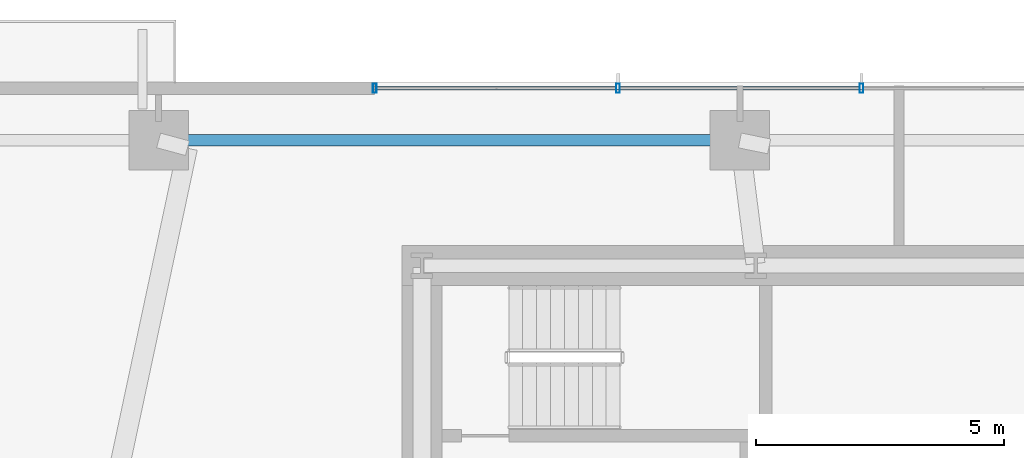
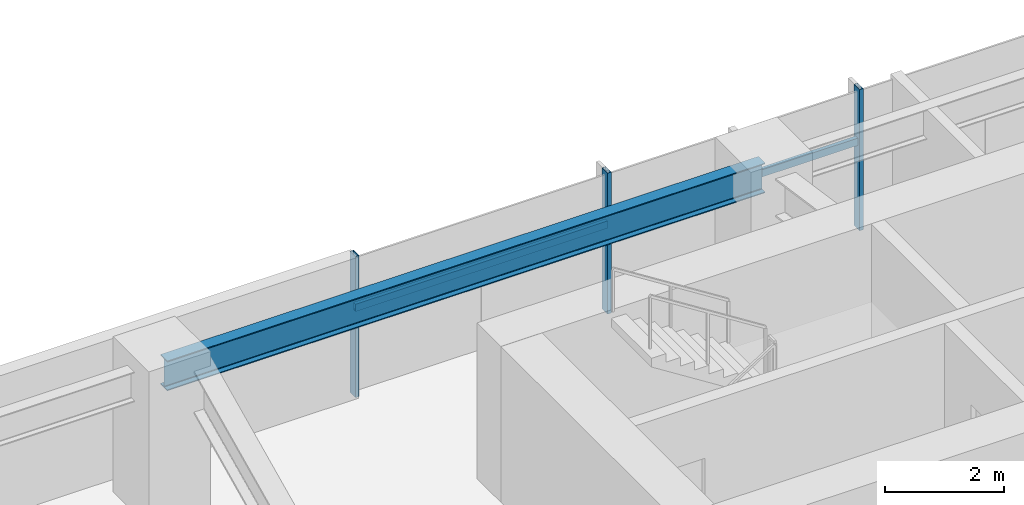
# One storey, part 10 of 25: 5 members, 1 beam, 1 element without a shape of its own.
"""IFC4 building model written with IfcOpenShell, lengths in metres."""

import ifcopenshell
import ifcopenshell.guid

model = None  # the IFC model being written
_history = None  # IfcOwnerHistory: only IFC2X3 demands one
_inside = {}  # id of a spatial element -> (the spatial element, [elements in it])
_under = {}  # id of a project, library or spatial element -> (it, [spatial elements below it])
_declared = {}  # id of a project -> (the project, [libraries it declares])
_typed = {}  # id of a type object -> (the type object, [elements of that type])
_made_of = {}  # id of a material, layer set ... -> (it, [elements and type objects made of it])


def new_model(schema):
    """Start an empty IFC model of exactly this schema.

    Asked for "IFC4X3", IfcOpenShell would pick the latest addendum, in which some entities
    have other attributes; the version numbers below select the first issue.
    IFC2X3 requires an IfcOwnerHistory on every rooted entity: one is made here for all.
    """
    global model, _history
    if schema == "IFC4X3":
        model = ifcopenshell.file(schema_version=(4, 3, 0, 0))
    else:
        model = ifcopenshell.file(schema=schema)
    _inside.clear()
    _under.clear()
    _declared.clear()
    _typed.clear()
    _made_of.clear()
    _history = None
    if model.schema == "IFC2X3":
        org = make("IfcOrganization", Name="unknown")
        user = make(
            "IfcPersonAndOrganization",
            ThePerson=make("IfcPerson", FamilyName="unknown"),
            TheOrganization=org,
        )
        app = make(
            "IfcApplication",
            ApplicationDeveloper=org,
            Version="unknown",
            ApplicationFullName="unknown",
            ApplicationIdentifier="unknown",
        )
        _history = make(
            "IfcOwnerHistory",
            OwningUser=user,
            OwningApplication=app,
            ChangeAction="ADDED",
            CreationDate=0,
        )
    return model


def make(cls, **values):
    """One entity of the class cls with the attributes given. An attribute that is None is left unset."""
    return model.create_entity(
        cls, **{name: value for name, value in values.items() if value is not None}
    )


def rooted(cls, **values):
    """An entity with a GlobalId (a new one), such as an element, a storey or a relation."""
    return make(cls, GlobalId=ifcopenshell.guid.new(), OwnerHistory=_history, **values)


def si_unit(unit_type, name, prefix=None):
    """IfcSIUnit, for example si_unit("LENGTHUNIT", "METRE", prefix="MILLI")."""
    return make("IfcSIUnit", UnitType=unit_type, Prefix=prefix, Name=name)


def assignment(units):
    """IfcUnitAssignment: the units of a project."""
    return None if units is None else make("IfcUnitAssignment", Units=units)


def point(xyz):
    """IfcCartesianPoint."""
    return None if xyz is None else make("IfcCartesianPoint", Coordinates=xyz)


def direction(xyz):
    """IfcDirection."""
    return None if xyz is None else make("IfcDirection", DirectionRatios=xyz)


def frame(location, z_axis=None, x_axis=None):
    """IfcAxis2Placement3D, a coordinate frame: its origin and axes. An axis left out is left unset."""
    return make(
        "IfcAxis2Placement3D",
        Location=point(location),
        Axis=direction(z_axis),
        RefDirection=direction(x_axis),
    )


def frame_2d(location, x_axis=None):
    """IfcAxis2Placement2D, a coordinate frame in the plane: its origin and x axis."""
    return make(
        "IfcAxis2Placement2D", Location=point(location), RefDirection=direction(x_axis)
    )


def origin():
    """The frame at (0, 0, 0) with its axes left unset."""
    return frame((0.0, 0.0, 0.0))


def origin_2d():
    """The frame at (0, 0) in the plane with its x axis left unset."""
    return frame_2d((0.0, 0.0))


def place(relative_to, where):
    """IfcLocalPlacement: puts the frame where relative to a parent placement (None: the world)."""
    return make(
        "IfcLocalPlacement", PlacementRelTo=relative_to, RelativePlacement=where
    )


def context(
    kind, dimensions, precision=None, world=None, true_north=None, identifier=None
):
    """IfcGeometricRepresentationContext, for example the 3D "Model" context."""
    return make(
        "IfcGeometricRepresentationContext",
        ContextIdentifier=identifier,
        ContextType=kind,
        CoordinateSpaceDimension=dimensions,
        Precision=precision,
        WorldCoordinateSystem=world,
        TrueNorth=true_north,
    )


def subcontext(parent, identifier, kind, view, scale=None):
    """IfcGeometricRepresentationSubContext, for example "Body" below "Model"."""
    return make(
        "IfcGeometricRepresentationSubContext",
        ContextIdentifier=identifier,
        ContextType=kind,
        ParentContext=parent,
        TargetScale=scale,
        TargetView=view,
    )


def project(units=None, contexts=None):
    """IfcProject with its units and contexts."""
    return rooted(
        "IfcProject",
        Name="project",
        RepresentationContexts=contexts,
        UnitsInContext=assignment(units),
    )


def spatial(cls, under=None, at=None, **own):
    """A site, building, storey or space (cls), placed at a placement, below another one or the project."""
    s = rooted(cls, ObjectPlacement=at, **own)
    if under is not None:
        _under.setdefault(under.id(), (under, []))[1].append(s)
    return s


def profile(cls, at=None, kind="AREA", **sizes):
    """A parametric profile (cls). Its sizes go by their IFC names, for example OverallWidth=200.0."""
    return make(cls, ProfileType=kind, Position=at, **sizes)


def hollow_rectangle(**sizes):
    """IfcRectangleHollowProfileDef."""
    return profile("IfcRectangleHollowProfileDef", **sizes)


def i_section(**sizes):
    """IfcIShapeProfileDef."""
    return profile("IfcIShapeProfileDef", **sizes)


def extrude(swept, where, along, depth):
    """IfcExtrudedAreaSolid: the profile swept, set in the frame where, extruded along a direction by depth."""
    return make(
        "IfcExtrudedAreaSolid",
        SweptArea=swept,
        Position=where,
        ExtrudedDirection=direction(along),
        Depth=depth,
    )


def shape(context_of_items, identifier, shape_type, items):
    """IfcShapeRepresentation: the items that make up one representation, for example the "Body"."""
    return make(
        "IfcShapeRepresentation",
        ContextOfItems=context_of_items,
        RepresentationIdentifier=identifier,
        RepresentationType=shape_type,
        Items=items,
    )


def source(mapping_origin, context_of_items, identifier, shape_type, items):
    """IfcRepresentationMap: a shape defined once, which mapped items show again and again."""
    return make(
        "IfcRepresentationMap",
        MappingOrigin=mapping_origin,
        MappedRepresentation=shape(context_of_items, identifier, shape_type, items),
    )


def transform(
    local_origin,
    x_axis=None,
    y_axis=None,
    z_axis=None,
    scale=None,
    scale2=None,
    scale3=None,
    uniform=True,
):
    """IfcCartesianTransformationOperator3D, or its non-uniform kind. x_axis, y_axis, z_axis: its Axis1, 2, 3."""
    if uniform:
        return make(
            "IfcCartesianTransformationOperator3D",
            Axis1=direction(x_axis),
            Axis2=direction(y_axis),
            LocalOrigin=point(local_origin),
            Scale=scale,
            Axis3=direction(z_axis),
        )
    return make(
        "IfcCartesianTransformationOperator3DnonUniform",
        Axis1=direction(x_axis),
        Axis2=direction(y_axis),
        LocalOrigin=point(local_origin),
        Scale=scale,
        Axis3=direction(z_axis),
        Scale2=scale2,
        Scale3=scale3,
    )


def mapped(mapping_source, mapping_target):
    """IfcMappedItem: shows the shape of a source again, moved by a transform."""
    return make(
        "IfcMappedItem", MappingSource=mapping_source, MappingTarget=mapping_target
    )


def material(Name=None, Category=None):
    """IfcMaterial."""
    return make("IfcMaterial", Name=Name, Category=Category)


def material_profile(
    of_material, cross_section, Name=None, Category=None, Priority=None
):
    """IfcMaterialProfile: a cross section and its material."""
    return make(
        "IfcMaterialProfile",
        Name=Name,
        Material=of_material,
        Profile=cross_section,
        Priority=Priority,
        Category=Category,
    )


def profile_set(profiles, Name=None, composite=None):
    """IfcMaterialProfileSet."""
    return make(
        "IfcMaterialProfileSet",
        Name=Name,
        MaterialProfiles=profiles,
        CompositeProfile=composite,
    )


def made_of(thing, what):
    """Note that an element or type object is made of a material, layer set ...; save() writes the relation."""
    if what is not None:
        _made_of.setdefault(what.id(), (what, []))[1].append(thing)
    return thing


def type_object(cls, material=None, **own):
    """A type object (cls), such as IfcWallType, which elements share."""
    return made_of(rooted(cls, **own), material)


def type_shapes(of_type, sources):
    """Give a type object the sources (RepresentationMaps) that its elements show as mapped items."""
    of_type.RepresentationMaps = sources


def element(
    cls,
    number,
    at=None,
    inside=None,
    cuts=None,
    type_object=None,
    material=None,
    context=None,
    identifier="Body",
    shape_type=None,
    held_by="IfcProductDefinitionShape",
    body=None,
    shapes=None,
    **own,
):
    """One element of the class cls, such as IfcWall. Its Tag is "e" and its number.

    at: its placement. inside: the storey or other place that contains it. cuts: it is an
    opening in that element (IfcRelVoidsElement). A single representation is given by context,
    identifier, shape_type and body (its items); several are given by shapes. held_by: the class
    of the entity that holds the representations. save() writes the other relations.
    """
    e = rooted(cls, Tag="e%d" % number, ObjectPlacement=at, **own)
    if body is not None:
        shapes = [shape(context, identifier, shape_type, body)]
    if shapes is not None:
        e.Representation = make(held_by, Representations=shapes)
    if inside is not None:
        _inside.setdefault(inside.id(), (inside, []))[1].append(e)
    if cuts is not None:
        rooted(
            "IfcRelVoidsElement", RelatingBuildingElement=cuts, RelatedOpeningElement=e
        )
    if type_object is not None:
        _typed.setdefault(type_object.id(), (type_object, []))[1].append(e)
    return made_of(e, material)


def aggregate(whole, parts):
    """IfcRelAggregates: a whole, such as a stair, and the parts it consists of."""
    return rooted("IfcRelAggregates", RelatingObject=whole, RelatedObjects=parts)


def save(model, path):
    """Write the relations noted so far, then the file.

    IfcRelAggregates (storeys below a building ...), IfcRelContainedInSpatialStructure (elements
    in a storey), IfcRelDefinesByType, IfcRelAssociatesMaterial and IfcRelDeclares: one each for
    every whole, place, type object, material and project.
    """
    for whole, parts in _under.values():
        aggregate(whole, parts)
    for where, things in _inside.values():
        rooted(
            "IfcRelContainedInSpatialStructure",
            RelatedElements=things,
            RelatingStructure=where,
        )
    for kind, things in _typed.values():
        rooted("IfcRelDefinesByType", RelatedObjects=things, RelatingType=kind)
    for what, things in _made_of.values():
        rooted("IfcRelAssociatesMaterial", RelatedObjects=things, RelatingMaterial=what)
    for by, libraries in _declared.values():
        rooted("IfcRelDeclares", RelatingContext=by, RelatedDefinitions=libraries)
    model.write(path)


model = new_model("IFC4")

# Units and contexts
model_context = context("Model", 3, precision=1e-05, world=origin(), true_north=direction((0.0, 1.0)))
body_context = subcontext(model_context, "Body", "Model", "MODEL_VIEW")
ifc_project = project(units=[si_unit("LENGTHUNIT", "METRE"), si_unit("AREAUNIT", "SQUARE_METRE"), si_unit("VOLUMEUNIT", "CUBIC_METRE"), si_unit("PLANEANGLEUNIT", "RADIAN"), si_unit("MASSUNIT", "GRAM", prefix="KILO")], contexts=[model_context])

# Site, building, storey
site_placement = place(None, origin())
site = spatial("IfcSite", under=ifc_project, at=site_placement, CompositionType="ELEMENT")
building_placement = place(site_placement, origin())
building = spatial("IfcBuilding", under=site, at=building_placement, Name="Astriad Promenade Condominiums", CompositionType="ELEMENT")
storey_placement = place(building_placement, frame((0.0, 0.0, 64.60009765625)))
storey = spatial("IfcBuildingStorey", under=building, at=storey_placement, Name="L18", CompositionType="ELEMENT", Elevation=64.60009765625)

# Beam
ifc_material_1 = material(Name="Steel ASTM A992 Grade 50", Category="steel")
ifc_material_profile_1 = material_profile(ifc_material_1, i_section(OverallWidth=0.22900390625, OverallDepth=0.612060546875, WebThickness=0.011962890625, FlangeThickness=0.01953125, FilletRadius=0.017822265625, at=origin_2d()), Name="W24X84")
ifc_profile_set_1 = profile_set([ifc_material_profile_1], Name="Steel ASTM A992 Grade 50")
beam_type = type_object("IfcBeamType", Name="STEEL SPANDREL BEAM W24X84", PredefinedType="SPANDREL", material=ifc_profile_set_1)
shared_shape_1 = source(origin(), body_context, "Body", "SweptSolid", [
    extrude(i_section(OverallWidth=0.22900390625, OverallDepth=0.612060546875, WebThickness=0.011962890625, FlangeThickness=0.01953125, FilletRadius=0.017822265625, at=origin_2d()), origin(), (0.0, 0.0, 1.0), 11.6201171875),
])
type_shapes(beam_type, [shared_shape_1])
beam_placement = place(storey_placement, frame((32.760009765625, 26.52001953125, 2.593994140625), z_axis=(-1.0, 0.0, 0.0), x_axis=(0.0, -1.0, 0.0)))
element("IfcBeam", 1, at=beam_placement, inside=storey, type_object=beam_type, Name="Perimeter Spandrel Beam SP-N2-L18", PredefinedType="SPANDREL", context=body_context, shape_type="MappedRepresentation", body=[
    mapped(shared_shape_1, transform((0.0, 0.0, 0.0), scale=1.0)),
])

# Curtain wall, members
ifc_material_2 = material(Name="Anodised aluminium Black Dark Glass Unitised", Category="aluminium")
curtain_wall_type = type_object("IfcCurtainWallType", Name="CW-B1-DARK", PredefinedType="USERDEFINED", material=ifc_material_2)
curtain_wall_placement = place(storey_placement, origin())
curtain_wall = element("IfcCurtainWall", 2, at=curtain_wall_placement, inside=storey, type_object=curtain_wall_type, Name="CW-L18-N", ObjectType="UNITISED_CURTAIN_WALL", PredefinedType="USERDEFINED")
ifc_material_3 = material(Name="Anodised aluminium 6063-T6 Black", Category="aluminium")
ifc_material_profile_2 = material_profile(ifc_material_3, hollow_rectangle(XDim=0.074951171875, YDim=0.14990234375, WallThickness=0.004150390625, at=origin_2d()), Name="ALU-TRN-75X150")
ifc_profile_set_2 = profile_set([ifc_material_profile_2], Name="Anodised aluminium 6063-T6 Black")
member_type_1 = type_object("IfcMemberType", Name="TRN-ALU-TRN-75X150", PredefinedType="USERDEFINED", material=ifc_profile_set_2)
shared_shape_2 = source(origin(), body_context, "Body", "SweptSolid", [
    extrude(hollow_rectangle(XDim=0.074951171875, YDim=0.14990234375, WallThickness=0.004150390625, at=origin_2d()), origin(), (0.0, 0.0, 1.0), 4.900146484375),
])
member_1_placement = place(storey_placement, frame((25.449951171875, 27.570068359375, 1.7978515625), z_axis=(1.0, 0.0, 0.0), x_axis=(0.0, 1.0, 0.0)))
member_1 = element("IfcMember", 3, at=member_1_placement, type_object=member_type_1, Name="CW-L18-N-TRN-00-0", ObjectType="TRANSOM", PredefinedType="USERDEFINED", context=body_context, shape_type="MappedRepresentation", body=[
    mapped(shared_shape_2, transform((0.0, 0.0, 0.0), scale=1.0)),
])
shared_shape_3 = source(origin(), body_context, "Body", "SweptSolid", [
    extrude(hollow_rectangle(XDim=0.074951171875, YDim=0.14990234375, WallThickness=0.004150390625, at=origin_2d()), origin(), (0.0, 0.0, 1.0), 4.89990234375),
])
type_shapes(member_type_1, [shared_shape_2, shared_shape_3])
member_2_placement = place(storey_placement, frame((30.35009765625, 27.570068359375, 1.7978515625), z_axis=(1.0, 0.0, 0.0), x_axis=(0.0, 1.0, 0.0)))
member_2 = element("IfcMember", 4, at=member_2_placement, type_object=member_type_1, Name="CW-L18-N-TRN-01-0", ObjectType="TRANSOM", PredefinedType="USERDEFINED", context=body_context, shape_type="MappedRepresentation", body=[
    mapped(shared_shape_3, transform((0.0, 0.0, 0.0), scale=1.0)),
])
ifc_material_profile_3 = material_profile(ifc_material_3, hollow_rectangle(XDim=0.074951171875, YDim=0.18505859375, WallThickness=0.00439453125, at=origin_2d()), Name="ALU-MUL-75X185")
ifc_profile_set_3 = profile_set([ifc_material_profile_3], Name="Anodised aluminium 6063-T6 Black")
member_type_2 = type_object("IfcMemberType", Name="MUL-ALU-MUL-75X185", PredefinedType="MULLION", material=ifc_profile_set_3)
shared_shape_4 = source(origin(), body_context, "Body", "SweptSolid", [
    extrude(hollow_rectangle(XDim=0.074951171875, YDim=0.18505859375, WallThickness=0.00439453125, at=origin_2d()), origin(), (0.0, 0.0, 1.0), 2.89990234375),
])
type_shapes(member_type_2, [shared_shape_4])
member_3_placement = place(storey_placement, frame((25.449951171875, 27.570068359375, 0.0), z_axis=(0.0, 0.0, 1.0), x_axis=(1.0, 0.0, 0.0)))
member_3 = element("IfcMember", 5, at=member_3_placement, type_object=member_type_2, Name="CW-L18-N-MUL-00", PredefinedType="MULLION", context=body_context, shape_type="MappedRepresentation", body=[
    mapped(shared_shape_4, transform((0.0, 0.0, 0.0), scale=1.0)),
])
member_4_placement = place(storey_placement, frame((30.35009765625, 27.570068359375, 0.0), z_axis=(0.0, 0.0, 1.0), x_axis=(1.0, 0.0, 0.0)))
member_4 = element("IfcMember", 6, at=member_4_placement, type_object=member_type_2, Name="CW-L18-N-MUL-01", PredefinedType="MULLION", context=body_context, shape_type="MappedRepresentation", body=[
    mapped(shared_shape_4, transform((0.0, 0.0, 0.0), scale=1.0)),
])
member_5_placement = place(storey_placement, frame((35.25, 27.570068359375, 0.0), z_axis=(0.0, 0.0, 1.0), x_axis=(1.0, 0.0, 0.0)))
member_5 = element("IfcMember", 7, at=member_5_placement, type_object=member_type_2, Name="CW-L18-N-MUL-02", PredefinedType="MULLION", context=body_context, shape_type="MappedRepresentation", body=[
    mapped(shared_shape_4, transform((0.0, 0.0, 0.0), scale=1.0)),
])
aggregate(curtain_wall, [member_3, member_4, member_5, member_1, member_2])

save(model, "model.ifc")
